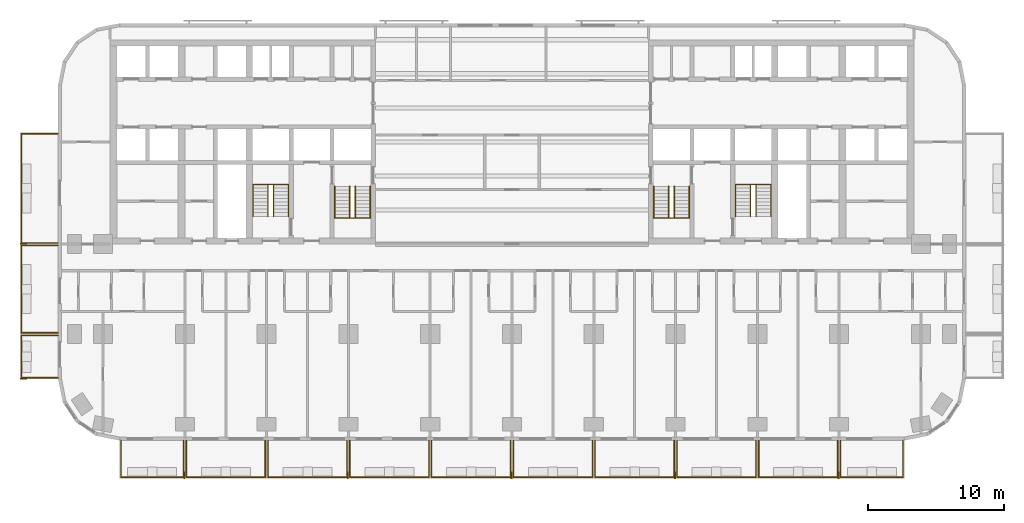
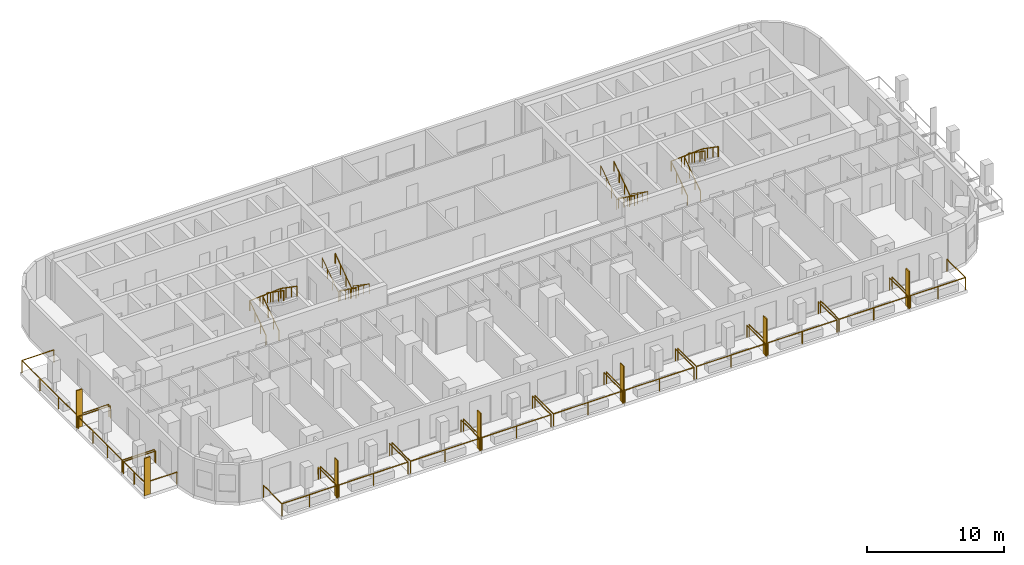
# One storey, part 13 of 15: 21 railings, 7 shading devices.
"""IFC4 building model written with IfcOpenShell, lengths in metres."""

from ifc_helpers import new_model, si_unit, direction, frame, origin, origin_2d, place, context, subcontext, project, spatial, rectangle, circle, extrude, material, layer, layer_set, type_object, element, save


model = new_model("IFC4")

# Units and contexts
model_context = context("Model", 3, precision=1e-05, world=origin(), true_north=direction((0.0, 1.0)))
body_context = subcontext(model_context, "Body", "Model", "MODEL_VIEW")
ifc_project = project(units=[si_unit("LENGTHUNIT", "METRE"), si_unit("AREAUNIT", "SQUARE_METRE"), si_unit("VOLUMEUNIT", "CUBIC_METRE"), si_unit("PLANEANGLEUNIT", "RADIAN"), si_unit("MASSUNIT", "GRAM", prefix="KILO")], contexts=[model_context])

# Site, building, storey
site_placement = place(None, origin())
site = spatial("IfcSite", under=ifc_project, at=site_placement, CompositionType="ELEMENT")
building_placement = place(site_placement, origin())
building = spatial("IfcBuilding", under=site, at=building_placement, Name="Torana Hotel and Residences", CompositionType="ELEMENT")
storey_placement = place(building_placement, frame((0.0, 0.0, 27.60009765625)))
storey = spatial("IfcBuildingStorey", under=building, at=storey_placement, Name="L05", CompositionType="ELEMENT", Elevation=27.60009765625)

# Shading devices
ifc_material_1 = material(Name="Black powder coated aluminium", Category="aluminium")
ifc_layer = layer(ifc_material_1, 0.080078125)
ifc_layer_set = layer_set([ifc_layer], Name="FN1 VERTICAL FIN 500x80")
shading_device_type = type_object("IfcShadingDeviceType", Name="FN1 VERTICAL FIN 500x80", PredefinedType="USERDEFINED", material=ifc_layer_set)
for number, where, z_axis, x_axis, name in (
    (1, (-24.0400390625, -31.949951171875, 0.0), (0.0, 0.0, 1.0), (-1.0, 0.0, 0.0), "Fin 01"),
    (2, (-12.0400390625, -31.949951171875, 0.0), (0.0, 0.0, 1.0), (-1.0, 0.0, 0.0), "Fin 03"),
    (3, (-0.0400390625, -31.949951171875, 0.0), (0.0, 0.0, 1.0), (-1.0, 0.0, 0.0), "Fin 05"),
    (4, (11.9599609375, -31.949951171875, 0.0), (0.0, 0.0, 1.0), (-1.0, 0.0, 0.0), "Fin 07"),
    (5, (23.9599609375, -31.949951171875, 0.0), (0.0, 0.0, 1.0), (-1.0, 0.0, 0.0), "Fin 09"),
    (6, (-35.85009765625, -24.860107421875, 0.0), (0.0, 0.0, 1.0), (0.0, 1.0, 0.0), "Fin 11"),
    (7, (-35.85009765625, -14.9599609375, 0.0), (0.0, 0.0, 1.0), (0.0, 1.0, 0.0), "Fin 13"),
):
    element("IfcShadingDevice", number, at=place(storey_placement, frame(where, z_axis=z_axis, x_axis=x_axis)), inside=storey, type_object=shading_device_type, Name=name, ObjectType="FIN", PredefinedType="USERDEFINED", context=body_context, shape_type="SweptSolid", body=[
        extrude(rectangle(XDim=0.080078125, YDim=0.5, at=origin_2d()), origin(), (0.0, 0.0, 1.0), 3.320068359375),
    ])

# Railings
ifc_material_2 = material(Name="Laminated glass balustrade with black handrail", Category="glass")
railing_type_1 = type_object("IfcRailingType", Name="GR1 BALCONY GUARD 1100 GLASS", PredefinedType="GUARDRAIL", material=ifc_material_2)
railing_1_placement = place(storey_placement, frame((-24.10009765625, -29.39990234375, 0.0)))
element("IfcRailing", 8, at=railing_1_placement, inside=storey, type_object=railing_type_1, Name="Balcony guard 01", PredefinedType="GUARDRAIL", context=body_context, shape_type="SweptSolid", body=[
    extrude(circle(Radius=0.02392578125, at=origin_2d()), frame((0.0, 0.0, 1.076171875), z_axis=(0.0, -1.0, 0.0), x_axis=(1.0, 0.0, 0.0)), (0.0, 0.0, 1.0), 2.7001953125),
    extrude(circle(Radius=0.02392578125, at=origin_2d()), frame((0.0, -2.7001953125, 1.076171875), z_axis=(-1.0, 0.0, 0.0), x_axis=(0.0, -1.0, 0.0)), (0.0, 0.0, 1.0), 4.599853515625),
    extrude(circle(Radius=0.02392578125, at=origin_2d()), frame((-4.599853515625, -2.7001953125, 1.076171875), z_axis=(0.0, 1.0, 0.0), x_axis=(-1.0, 0.0, 0.0)), (0.0, 0.0, 1.0), 2.7001953125),
    extrude(circle(Radius=0.02099609375, at=origin_2d()), origin(), (0.0, 0.0, 1.0), 1.052001953125),
    extrude(circle(Radius=0.02099609375, at=origin_2d()), frame((0.0, -2.7001953125, 0.0)), (0.0, 0.0, 1.0), 1.052001953125),
    extrude(circle(Radius=0.02099609375, at=origin_2d()), frame((-2.2998046875, -2.7001953125, 0.0)), (0.0, 0.0, 1.0), 1.052001953125),
    extrude(circle(Radius=0.02099609375, at=origin_2d()), frame((-4.599853515625, -2.7001953125, 0.0)), (0.0, 0.0, 1.0), 1.052001953125),
    extrude(circle(Radius=0.02099609375, at=origin_2d()), frame((-4.599853515625, 0.0, 0.0)), (0.0, 0.0, 1.0), 1.052001953125),
])
for number, where, name in (
    (9, (-18.10009765625, -29.39990234375, 0.0), "Balcony guard 02"),
    (10, (-12.10009765625, -29.39990234375, 0.0), "Balcony guard 03"),
    (11, (-6.10009765625, -29.39990234375, 0.0), "Balcony guard 04"),
    (12, (-0.10009765625, -29.39990234375, 0.0), "Balcony guard 05"),
    (13, (5.89990234375, -29.39990234375, 0.0), "Balcony guard 06"),
    (14, (11.89990234375, -29.39990234375, 0.0), "Balcony guard 07"),
    (15, (17.89990234375, -29.39990234375, 0.0), "Balcony guard 08"),
    (16, (23.89990234375, -29.39990234375, 0.0), "Balcony guard 09"),
):
    element("IfcRailing", number, at=place(storey_placement, frame(where)), inside=storey, type_object=railing_type_1, Name=name, PredefinedType="GUARDRAIL", context=body_context, shape_type="SweptSolid", body=[
        extrude(circle(Radius=0.02392578125, at=origin_2d()), frame((0.0, 0.0, 1.076171875), z_axis=(0.0, -1.0, 0.0), x_axis=(1.0, 0.0, 0.0)), (0.0, 0.0, 1.0), 2.7001953125),
        extrude(circle(Radius=0.02392578125, at=origin_2d()), frame((0.0, -2.7001953125, 1.076171875), z_axis=(-1.0, 0.0, 0.0), x_axis=(0.0, -1.0, 0.0)), (0.0, 0.0, 1.0), 5.7998046875),
        extrude(circle(Radius=0.02392578125, at=origin_2d()), frame((-5.7998046875, -2.7001953125, 1.076171875), z_axis=(0.0, 1.0, 0.0), x_axis=(-1.0, 0.0, 0.0)), (0.0, 0.0, 1.0), 2.7001953125),
        extrude(circle(Radius=0.02099609375, at=origin_2d()), origin(), (0.0, 0.0, 1.0), 1.052001953125),
        extrude(circle(Radius=0.02099609375, at=origin_2d()), frame((0.0, -2.7001953125, 0.0)), (0.0, 0.0, 1.0), 1.052001953125),
        extrude(circle(Radius=0.02099609375, at=origin_2d()), frame((-2.89990234375, -2.7001953125, 0.0)), (0.0, 0.0, 1.0), 1.052001953125),
        extrude(circle(Radius=0.02099609375, at=origin_2d()), frame((-5.7998046875, -2.7001953125, 0.0)), (0.0, 0.0, 1.0), 1.052001953125),
        extrude(circle(Radius=0.02099609375, at=origin_2d()), frame((-5.7998046875, 0.0, 0.0)), (0.0, 0.0, 1.0), 1.052001953125),
    ])
railing_2_placement = place(storey_placement, frame((28.699951171875, -29.39990234375, 0.0)))
element("IfcRailing", 17, at=railing_2_placement, inside=storey, type_object=railing_type_1, Name="Balcony guard 10", PredefinedType="GUARDRAIL", context=body_context, shape_type="SweptSolid", body=[
    extrude(circle(Radius=0.02392578125, at=origin_2d()), frame((0.0, 0.0, 1.076171875), z_axis=(0.0, -1.0, 0.0), x_axis=(1.0, 0.0, 0.0)), (0.0, 0.0, 1.0), 2.7001953125),
    extrude(circle(Radius=0.02392578125, at=origin_2d()), frame((0.0, -2.7001953125, 1.076171875), z_axis=(-1.0, 0.0, 0.0), x_axis=(0.0, -1.0, 0.0)), (0.0, 0.0, 1.0), 4.599853515625),
    extrude(circle(Radius=0.02392578125, at=origin_2d()), frame((-4.599853515625, -2.7001953125, 1.076171875), z_axis=(0.0, 1.0, 0.0), x_axis=(-1.0, 0.0, 0.0)), (0.0, 0.0, 1.0), 2.7001953125),
    extrude(circle(Radius=0.02099609375, at=origin_2d()), origin(), (0.0, 0.0, 1.0), 1.052001953125),
    extrude(circle(Radius=0.02099609375, at=origin_2d()), frame((0.0, -2.7001953125, 0.0)), (0.0, 0.0, 1.0), 1.052001953125),
    extrude(circle(Radius=0.02099609375, at=origin_2d()), frame((-2.2998046875, -2.7001953125, 0.0)), (0.0, 0.0, 1.0), 1.052001953125),
    extrude(circle(Radius=0.02099609375, at=origin_2d()), frame((-4.599853515625, -2.7001953125, 0.0)), (0.0, 0.0, 1.0), 1.052001953125),
    extrude(circle(Radius=0.02099609375, at=origin_2d()), frame((-4.599853515625, 0.0, 0.0)), (0.0, 0.0, 1.0), 1.052001953125),
])
railing_3_placement = place(storey_placement, frame((-33.300048828125, -24.800048828125, 0.0)))
element("IfcRailing", 18, at=railing_3_placement, inside=storey, type_object=railing_type_1, Name="Balcony guard 11", PredefinedType="GUARDRAIL", context=body_context, shape_type="SweptSolid", body=[
    extrude(circle(Radius=0.02392578125, at=origin_2d()), frame((0.0, 0.0, 1.076171875), z_axis=(-1.0, 0.0, 0.0), x_axis=(0.0, -1.0, 0.0)), (0.0, 0.0, 1.0), 2.699951171875),
    extrude(circle(Radius=0.02392578125, at=origin_2d()), frame((-2.699951171875, 0.0, 1.076171875), z_axis=(0.0, 1.0, 0.0), x_axis=(-1.0, 0.0, 0.0)), (0.0, 0.0, 1.0), 3.10009765625),
    extrude(circle(Radius=0.02392578125, at=origin_2d()), frame((-2.699951171875, 3.10009765625, 1.076171875), z_axis=(1.0, 0.0, 0.0), x_axis=(0.0, 1.0, 0.0)), (0.0, 0.0, 1.0), 2.699951171875),
    extrude(circle(Radius=0.02099609375, at=origin_2d()), origin(), (0.0, 0.0, 1.0), 1.052001953125),
    extrude(circle(Radius=0.02099609375, at=origin_2d()), frame((-2.699951171875, 0.0, 0.0)), (0.0, 0.0, 1.0), 1.052001953125),
    extrude(circle(Radius=0.02099609375, at=origin_2d()), frame((-2.699951171875, 1.550048828125, 0.0)), (0.0, 0.0, 1.0), 1.052001953125),
    extrude(circle(Radius=0.02099609375, at=origin_2d()), frame((-2.699951171875, 3.10009765625, 0.0)), (0.0, 0.0, 1.0), 1.052001953125),
    extrude(circle(Radius=0.02099609375, at=origin_2d()), frame((0.0, 3.10009765625, 0.0)), (0.0, 0.0, 1.0), 1.052001953125),
])
railing_4_placement = place(storey_placement, frame((-33.300048828125, -21.5, 0.0)))
element("IfcRailing", 19, at=railing_4_placement, inside=storey, type_object=railing_type_1, Name="Balcony guard 12", PredefinedType="GUARDRAIL", context=body_context, shape_type="SweptSolid", body=[
    extrude(circle(Radius=0.02392578125, at=origin_2d()), frame((0.0, 0.0, 1.076171875), z_axis=(-1.0, 0.0, 0.0), x_axis=(0.0, -1.0, 0.0)), (0.0, 0.0, 1.0), 2.699951171875),
    extrude(circle(Radius=0.02392578125, at=origin_2d()), frame((-2.699951171875, 0.0, 1.076171875), z_axis=(0.0, 1.0, 0.0), x_axis=(-1.0, 0.0, 0.0)), (0.0, 0.0, 1.0), 6.39990234375),
    extrude(circle(Radius=0.02392578125, at=origin_2d()), frame((-2.699951171875, 6.39990234375, 1.076171875), z_axis=(1.0, 0.0, 0.0), x_axis=(0.0, 1.0, 0.0)), (0.0, 0.0, 1.0), 2.699951171875),
    extrude(circle(Radius=0.02099609375, at=origin_2d()), origin(), (0.0, 0.0, 1.0), 1.052001953125),
    extrude(circle(Radius=0.02099609375, at=origin_2d()), frame((-2.699951171875, 0.0, 0.0)), (0.0, 0.0, 1.0), 1.052001953125),
    extrude(circle(Radius=0.02099609375, at=origin_2d()), frame((-2.699951171875, 2.13330078125, 0.0)), (0.0, 0.0, 1.0), 1.052001953125),
    extrude(circle(Radius=0.02099609375, at=origin_2d()), frame((-2.699951171875, 4.2666015625, 0.0)), (0.0, 0.0, 1.0), 1.052001953125),
    extrude(circle(Radius=0.02099609375, at=origin_2d()), frame((-2.699951171875, 6.39990234375, 0.0)), (0.0, 0.0, 1.0), 1.052001953125),
    extrude(circle(Radius=0.02099609375, at=origin_2d()), frame((0.0, 6.39990234375, 0.0)), (0.0, 0.0, 1.0), 1.052001953125),
])
railing_5_placement = place(storey_placement, frame((-33.300048828125, -14.89990234375, 0.0)))
element("IfcRailing", 20, at=railing_5_placement, inside=storey, type_object=railing_type_1, Name="Balcony guard 13", PredefinedType="GUARDRAIL", context=body_context, shape_type="SweptSolid", body=[
    extrude(circle(Radius=0.02392578125, at=origin_2d()), frame((0.0, 0.0, 1.076171875), z_axis=(-1.0, 0.0, 0.0), x_axis=(0.0, -1.0, 0.0)), (0.0, 0.0, 1.0), 2.699951171875),
    extrude(circle(Radius=0.02392578125, at=origin_2d()), frame((-2.699951171875, 0.0, 1.076171875), z_axis=(0.0, 1.0, 0.0), x_axis=(-1.0, 0.0, 0.0)), (0.0, 0.0, 1.0), 8.0),
    extrude(circle(Radius=0.02392578125, at=origin_2d()), frame((-2.699951171875, 8.0, 1.076171875), z_axis=(1.0, 0.0, 0.0), x_axis=(0.0, 1.0, 0.0)), (0.0, 0.0, 1.0), 2.699951171875),
    extrude(circle(Radius=0.02099609375, at=origin_2d()), origin(), (0.0, 0.0, 1.0), 1.052001953125),
    extrude(circle(Radius=0.02099609375, at=origin_2d()), frame((-2.699951171875, 0.0, 0.0)), (0.0, 0.0, 1.0), 1.052001953125),
    extrude(circle(Radius=0.02099609375, at=origin_2d()), frame((-2.699951171875, 2.666748046875, 0.0)), (0.0, 0.0, 1.0), 1.052001953125),
    extrude(circle(Radius=0.02099609375, at=origin_2d()), frame((-2.699951171875, 5.333251953125, 0.0)), (0.0, 0.0, 1.0), 1.052001953125),
    extrude(circle(Radius=0.02099609375, at=origin_2d()), frame((-2.699951171875, 8.0, 0.0)), (0.0, 0.0, 1.0), 1.052001953125),
    extrude(circle(Radius=0.02099609375, at=origin_2d()), frame((0.0, 8.0, 0.0)), (0.0, 0.0, 1.0), 1.052001953125),
])
ifc_material_3 = material(Name="Stainless steel 316", Category="steel")
railing_type_2 = type_object("IfcRailingType", Name="STAIR HANDRAIL HR1 900", PredefinedType="HANDRAIL", material=ifc_material_3)
railing_6_placement = place(storey_placement, frame((-10.39990234375, -10.75, 0.179931640625)))
element("IfcRailing", 21, at=railing_6_placement, inside=storey, type_object=railing_type_2, Name="Handrail ST1 L05 O1", PredefinedType="HANDRAIL", context=body_context, shape_type="SweptSolid", body=[
    extrude(circle(Radius=0.02392578125, at=origin_2d()), frame((0.0, 0.0, 0.8759765625), z_axis=(0.0, -0.822223072051, 0.569165371211), x_axis=(1.0, 0.0, 0.0)), (0.0, 0.0, 1.0), 2.845947265625),
    extrude(circle(Radius=0.02392578125, at=origin_2d()), frame((0.0, -2.340087890625, 2.49560546875), z_axis=(-0.997607660209, 0.0, 0.069129995609), x_axis=(0.0, -1.0, 0.0)), (0.0, 0.0, 1.0), 2.6064453125),
    extrude(circle(Radius=0.02392578125, at=origin_2d()), frame((-2.60009765625, -2.340087890625, 2.67578125), z_axis=(0.0, 0.822223072051, 0.569165371211), x_axis=(-1.0, 0.0, 0.0)), (0.0, 0.0, 1.0), 2.845947265625),
    extrude(circle(Radius=0.02099609375, at=origin_2d()), origin(), (0.0, 0.0, 1.0), 0.851806640625),
    extrude(circle(Radius=0.02099609375, at=origin_2d()), frame((0.0, -0.780029296875, 0.5400390625)), (0.0, 0.0, 1.0), 0.851806640625),
    extrude(circle(Radius=0.02099609375, at=origin_2d()), frame((0.0, -1.56005859375, 1.079833984375)), (0.0, 0.0, 1.0), 0.851806640625),
    extrude(circle(Radius=0.02099609375, at=origin_2d()), frame((0.0, -2.340087890625, 1.619873046875)), (0.0, 0.0, 1.0), 0.851806640625),
    extrude(circle(Radius=0.02099609375, at=origin_2d()), frame((-0.86669921875, -2.340087890625, 1.679931640625)), (0.0, 0.0, 1.0), 0.851806640625),
    extrude(circle(Radius=0.02099609375, at=origin_2d()), frame((-1.7333984375, -2.340087890625, 1.739990234375)), (0.0, 0.0, 1.0), 0.851806640625),
    extrude(circle(Radius=0.02099609375, at=origin_2d()), frame((-2.60009765625, -2.340087890625, 1.800048828125)), (0.0, 0.0, 1.0), 0.851806640625),
    extrude(circle(Radius=0.02099609375, at=origin_2d()), frame((-2.60009765625, -1.56005859375, 2.340087890625)), (0.0, 0.0, 1.0), 0.851806640625),
    extrude(circle(Radius=0.02099609375, at=origin_2d()), frame((-2.60009765625, -0.780029296875, 2.8798828125)), (0.0, 0.0, 1.0), 0.851806640625),
    extrude(circle(Radius=0.02099609375, at=origin_2d()), frame((-2.60009765625, 0.0, 3.419921875)), (0.0, 0.0, 1.0), 0.851806640625),
])
railing_7_placement = place(storey_placement, frame((-11.5, -10.75, 0.179931640625)))
element("IfcRailing", 22, at=railing_7_placement, inside=storey, type_object=railing_type_2, Name="Handrail ST1 L05 I1", PredefinedType="HANDRAIL", context=body_context, shape_type="SweptSolid", body=[
    extrude(circle(Radius=0.02392578125, at=origin_2d()), frame((0.0, 0.0, 0.8759765625), z_axis=(0.0, -0.822223072051, 0.569165371211), x_axis=(1.0, 0.0, 0.0)), (0.0, 0.0, 1.0), 2.845947265625),
    extrude(circle(Radius=0.02392578125, at=origin_2d()), frame((0.0, -2.340087890625, 2.49560546875), z_axis=(-0.911733943306, 0.0, 0.410781227204), x_axis=(0.0, -1.0, 0.0)), (0.0, 0.0, 1.0), 0.438720703125),
    extrude(circle(Radius=0.02392578125, at=origin_2d()), frame((-0.39990234375, -2.340087890625, 2.67578125), z_axis=(0.0, 0.822223072051, 0.569165371211), x_axis=(-1.0, 0.0, 0.0)), (0.0, 0.0, 1.0), 2.845947265625),
    extrude(circle(Radius=0.02099609375, at=origin_2d()), origin(), (0.0, 0.0, 1.0), 0.851806640625),
    extrude(circle(Radius=0.02099609375, at=origin_2d()), frame((0.0, -0.780029296875, 0.5400390625)), (0.0, 0.0, 1.0), 0.851806640625),
    extrude(circle(Radius=0.02099609375, at=origin_2d()), frame((0.0, -1.56005859375, 1.079833984375)), (0.0, 0.0, 1.0), 0.851806640625),
    extrude(circle(Radius=0.02099609375, at=origin_2d()), frame((0.0, -2.340087890625, 1.619873046875)), (0.0, 0.0, 1.0), 0.851806640625),
    extrude(circle(Radius=0.02099609375, at=origin_2d()), frame((-0.39990234375, -2.340087890625, 1.800048828125)), (0.0, 0.0, 1.0), 0.851806640625),
    extrude(circle(Radius=0.02099609375, at=origin_2d()), frame((-0.39990234375, -1.56005859375, 2.340087890625)), (0.0, 0.0, 1.0), 0.851806640625),
    extrude(circle(Radius=0.02099609375, at=origin_2d()), frame((-0.39990234375, -0.780029296875, 2.8798828125)), (0.0, 0.0, 1.0), 0.851806640625),
    extrude(circle(Radius=0.02099609375, at=origin_2d()), frame((-0.39990234375, 0.0, 3.419921875)), (0.0, 0.0, 1.0), 0.851806640625),
])
railing_8_placement = place(storey_placement, frame((-19.0, -12.949951171875, 0.179931640625)))
element("IfcRailing", 23, at=railing_8_placement, inside=storey, type_object=railing_type_2, Name="Handrail ST2 L05 O1", PredefinedType="HANDRAIL", context=body_context, shape_type="SweptSolid", body=[
    extrude(circle(Radius=0.02392578125, at=origin_2d()), frame((0.0, 0.0, 0.8759765625), z_axis=(0.0, 0.822195280011, 0.569205517829), x_axis=(-1.0, 0.0, 0.0)), (0.0, 0.0, 1.0), 2.845947265625),
    extrude(circle(Radius=0.02392578125, at=origin_2d()), frame((0.0, 2.33984375, 2.49560546875), z_axis=(0.997607660209, 0.0, 0.069129995609), x_axis=(0.0, 1.0, 0.0)), (0.0, 0.0, 1.0), 2.6064453125),
    extrude(circle(Radius=0.02392578125, at=origin_2d()), frame((2.60009765625, 2.33984375, 2.67578125), z_axis=(0.0, -0.822195280011, 0.569205517829), x_axis=(1.0, 0.0, 0.0)), (0.0, 0.0, 1.0), 2.845947265625),
    extrude(circle(Radius=0.02099609375, at=origin_2d()), origin(), (0.0, 0.0, 1.0), 0.851806640625),
    extrude(circle(Radius=0.02099609375, at=origin_2d()), frame((0.0, 0.780029296875, 0.5400390625)), (0.0, 0.0, 1.0), 0.851806640625),
    extrude(circle(Radius=0.02099609375, at=origin_2d()), frame((0.0, 1.559814453125, 1.079833984375)), (0.0, 0.0, 1.0), 0.851806640625),
    extrude(circle(Radius=0.02099609375, at=origin_2d()), frame((0.0, 2.33984375, 1.619873046875)), (0.0, 0.0, 1.0), 0.851806640625),
    extrude(circle(Radius=0.02099609375, at=origin_2d()), frame((0.86669921875, 2.33984375, 1.679931640625)), (0.0, 0.0, 1.0), 0.851806640625),
    extrude(circle(Radius=0.02099609375, at=origin_2d()), frame((1.7333984375, 2.33984375, 1.739990234375)), (0.0, 0.0, 1.0), 0.851806640625),
    extrude(circle(Radius=0.02099609375, at=origin_2d()), frame((2.60009765625, 2.33984375, 1.800048828125)), (0.0, 0.0, 1.0), 0.851806640625),
    extrude(circle(Radius=0.02099609375, at=origin_2d()), frame((2.60009765625, 1.559814453125, 2.340087890625)), (0.0, 0.0, 1.0), 0.851806640625),
    extrude(circle(Radius=0.02099609375, at=origin_2d()), frame((2.60009765625, 0.780029296875, 2.8798828125)), (0.0, 0.0, 1.0), 0.851806640625),
    extrude(circle(Radius=0.02099609375, at=origin_2d()), frame((2.60009765625, 0.0, 3.419921875)), (0.0, 0.0, 1.0), 0.851806640625),
])
railing_9_placement = place(storey_placement, frame((-17.89990234375, -12.949951171875, 0.179931640625)))
element("IfcRailing", 24, at=railing_9_placement, inside=storey, type_object=railing_type_2, Name="Handrail ST2 L05 I1", PredefinedType="HANDRAIL", context=body_context, shape_type="SweptSolid", body=[
    extrude(circle(Radius=0.02392578125, at=origin_2d()), frame((0.0, 0.0, 0.8759765625), z_axis=(0.0, 0.822195280011, 0.569205517829), x_axis=(-1.0, 0.0, 0.0)), (0.0, 0.0, 1.0), 2.845947265625),
    extrude(circle(Radius=0.02392578125, at=origin_2d()), frame((0.0, 2.33984375, 2.49560546875), z_axis=(0.911733943306, 0.0, 0.410781227204), x_axis=(0.0, 1.0, 0.0)), (0.0, 0.0, 1.0), 0.438720703125),
    extrude(circle(Radius=0.02392578125, at=origin_2d()), frame((0.39990234375, 2.33984375, 2.67578125), z_axis=(0.0, -0.822195280011, 0.569205517829), x_axis=(1.0, 0.0, 0.0)), (0.0, 0.0, 1.0), 2.845947265625),
    extrude(circle(Radius=0.02099609375, at=origin_2d()), origin(), (0.0, 0.0, 1.0), 0.851806640625),
    extrude(circle(Radius=0.02099609375, at=origin_2d()), frame((0.0, 0.780029296875, 0.5400390625)), (0.0, 0.0, 1.0), 0.851806640625),
    extrude(circle(Radius=0.02099609375, at=origin_2d()), frame((0.0, 1.559814453125, 1.079833984375)), (0.0, 0.0, 1.0), 0.851806640625),
    extrude(circle(Radius=0.02099609375, at=origin_2d()), frame((0.0, 2.33984375, 1.619873046875)), (0.0, 0.0, 1.0), 0.851806640625),
    extrude(circle(Radius=0.02099609375, at=origin_2d()), frame((0.39990234375, 2.33984375, 1.800048828125)), (0.0, 0.0, 1.0), 0.851806640625),
    extrude(circle(Radius=0.02099609375, at=origin_2d()), frame((0.39990234375, 1.559814453125, 2.340087890625)), (0.0, 0.0, 1.0), 0.851806640625),
    extrude(circle(Radius=0.02099609375, at=origin_2d()), frame((0.39990234375, 0.780029296875, 2.8798828125)), (0.0, 0.0, 1.0), 0.851806640625),
    extrude(circle(Radius=0.02099609375, at=origin_2d()), frame((0.39990234375, 0.0, 3.419921875)), (0.0, 0.0, 1.0), 0.851806640625),
])
railing_10_placement = place(storey_placement, frame((13.0, -10.75, 0.179931640625)))
element("IfcRailing", 25, at=railing_10_placement, inside=storey, type_object=railing_type_2, Name="Handrail ST3 L05 O1", PredefinedType="HANDRAIL", context=body_context, shape_type="SweptSolid", body=[
    extrude(circle(Radius=0.02392578125, at=origin_2d()), frame((0.0, 0.0, 0.8759765625), z_axis=(0.0, -0.822223072051, 0.569165371211), x_axis=(1.0, 0.0, 0.0)), (0.0, 0.0, 1.0), 2.845947265625),
    extrude(circle(Radius=0.02392578125, at=origin_2d()), frame((0.0, -2.340087890625, 2.49560546875), z_axis=(-0.997607660209, 0.0, 0.069129995609), x_axis=(0.0, -1.0, 0.0)), (0.0, 0.0, 1.0), 2.6064453125),
    extrude(circle(Radius=0.02392578125, at=origin_2d()), frame((-2.60009765625, -2.340087890625, 2.67578125), z_axis=(0.0, 0.822223072051, 0.569165371211), x_axis=(-1.0, 0.0, 0.0)), (0.0, 0.0, 1.0), 2.845947265625),
    extrude(circle(Radius=0.02099609375, at=origin_2d()), origin(), (0.0, 0.0, 1.0), 0.851806640625),
    extrude(circle(Radius=0.02099609375, at=origin_2d()), frame((0.0, -0.780029296875, 0.5400390625)), (0.0, 0.0, 1.0), 0.851806640625),
    extrude(circle(Radius=0.02099609375, at=origin_2d()), frame((0.0, -1.56005859375, 1.079833984375)), (0.0, 0.0, 1.0), 0.851806640625),
    extrude(circle(Radius=0.02099609375, at=origin_2d()), frame((0.0, -2.340087890625, 1.619873046875)), (0.0, 0.0, 1.0), 0.851806640625),
    extrude(circle(Radius=0.02099609375, at=origin_2d()), frame((-0.86669921875, -2.340087890625, 1.679931640625)), (0.0, 0.0, 1.0), 0.851806640625),
    extrude(circle(Radius=0.02099609375, at=origin_2d()), frame((-1.7333984375, -2.340087890625, 1.739990234375)), (0.0, 0.0, 1.0), 0.851806640625),
    extrude(circle(Radius=0.02099609375, at=origin_2d()), frame((-2.60009765625, -2.340087890625, 1.800048828125)), (0.0, 0.0, 1.0), 0.851806640625),
    extrude(circle(Radius=0.02099609375, at=origin_2d()), frame((-2.60009765625, -1.56005859375, 2.340087890625)), (0.0, 0.0, 1.0), 0.851806640625),
    extrude(circle(Radius=0.02099609375, at=origin_2d()), frame((-2.60009765625, -0.780029296875, 2.8798828125)), (0.0, 0.0, 1.0), 0.851806640625),
    extrude(circle(Radius=0.02099609375, at=origin_2d()), frame((-2.60009765625, 0.0, 3.419921875)), (0.0, 0.0, 1.0), 0.851806640625),
])
railing_11_placement = place(storey_placement, frame((11.89990234375, -10.75, 0.179931640625)))
element("IfcRailing", 26, at=railing_11_placement, inside=storey, type_object=railing_type_2, Name="Handrail ST3 L05 I1", PredefinedType="HANDRAIL", context=body_context, shape_type="SweptSolid", body=[
    extrude(circle(Radius=0.02392578125, at=origin_2d()), frame((0.0, 0.0, 0.8759765625), z_axis=(0.0, -0.822223072051, 0.569165371211), x_axis=(1.0, 0.0, 0.0)), (0.0, 0.0, 1.0), 2.845947265625),
    extrude(circle(Radius=0.02392578125, at=origin_2d()), frame((0.0, -2.340087890625, 2.49560546875), z_axis=(-0.911733943306, 0.0, 0.410781227204), x_axis=(0.0, -1.0, 0.0)), (0.0, 0.0, 1.0), 0.438720703125),
    extrude(circle(Radius=0.02392578125, at=origin_2d()), frame((-0.39990234375, -2.340087890625, 2.67578125), z_axis=(0.0, 0.822223072051, 0.569165371211), x_axis=(-1.0, 0.0, 0.0)), (0.0, 0.0, 1.0), 2.845947265625),
    extrude(circle(Radius=0.02099609375, at=origin_2d()), origin(), (0.0, 0.0, 1.0), 0.851806640625),
    extrude(circle(Radius=0.02099609375, at=origin_2d()), frame((0.0, -0.780029296875, 0.5400390625)), (0.0, 0.0, 1.0), 0.851806640625),
    extrude(circle(Radius=0.02099609375, at=origin_2d()), frame((0.0, -1.56005859375, 1.079833984375)), (0.0, 0.0, 1.0), 0.851806640625),
    extrude(circle(Radius=0.02099609375, at=origin_2d()), frame((0.0, -2.340087890625, 1.619873046875)), (0.0, 0.0, 1.0), 0.851806640625),
    extrude(circle(Radius=0.02099609375, at=origin_2d()), frame((-0.39990234375, -2.340087890625, 1.800048828125)), (0.0, 0.0, 1.0), 0.851806640625),
    extrude(circle(Radius=0.02099609375, at=origin_2d()), frame((-0.39990234375, -1.56005859375, 2.340087890625)), (0.0, 0.0, 1.0), 0.851806640625),
    extrude(circle(Radius=0.02099609375, at=origin_2d()), frame((-0.39990234375, -0.780029296875, 2.8798828125)), (0.0, 0.0, 1.0), 0.851806640625),
    extrude(circle(Radius=0.02099609375, at=origin_2d()), frame((-0.39990234375, 0.0, 3.419921875)), (0.0, 0.0, 1.0), 0.851806640625),
])
railing_12_placement = place(storey_placement, frame((16.39990234375, -12.949951171875, 0.179931640625)))
element("IfcRailing", 27, at=railing_12_placement, inside=storey, type_object=railing_type_2, Name="Handrail ST4 L05 O1", PredefinedType="HANDRAIL", context=body_context, shape_type="SweptSolid", body=[
    extrude(circle(Radius=0.02392578125, at=origin_2d()), frame((0.0, 0.0, 0.8759765625), z_axis=(0.0, 0.822195280011, 0.569205517829), x_axis=(-1.0, 0.0, 0.0)), (0.0, 0.0, 1.0), 2.845947265625),
    extrude(circle(Radius=0.02392578125, at=origin_2d()), frame((0.0, 2.33984375, 2.49560546875), z_axis=(0.997607660209, 0.0, 0.069129995609), x_axis=(0.0, 1.0, 0.0)), (0.0, 0.0, 1.0), 2.6064453125),
    extrude(circle(Radius=0.02392578125, at=origin_2d()), frame((2.60009765625, 2.33984375, 2.67578125), z_axis=(0.0, -0.822195280011, 0.569205517829), x_axis=(1.0, 0.0, 0.0)), (0.0, 0.0, 1.0), 2.845947265625),
    extrude(circle(Radius=0.02099609375, at=origin_2d()), origin(), (0.0, 0.0, 1.0), 0.851806640625),
    extrude(circle(Radius=0.02099609375, at=origin_2d()), frame((0.0, 0.780029296875, 0.5400390625)), (0.0, 0.0, 1.0), 0.851806640625),
    extrude(circle(Radius=0.02099609375, at=origin_2d()), frame((0.0, 1.559814453125, 1.079833984375)), (0.0, 0.0, 1.0), 0.851806640625),
    extrude(circle(Radius=0.02099609375, at=origin_2d()), frame((0.0, 2.33984375, 1.619873046875)), (0.0, 0.0, 1.0), 0.851806640625),
    extrude(circle(Radius=0.02099609375, at=origin_2d()), frame((0.86669921875, 2.33984375, 1.679931640625)), (0.0, 0.0, 1.0), 0.851806640625),
    extrude(circle(Radius=0.02099609375, at=origin_2d()), frame((1.7333984375, 2.33984375, 1.739990234375)), (0.0, 0.0, 1.0), 0.851806640625),
    extrude(circle(Radius=0.02099609375, at=origin_2d()), frame((2.60009765625, 2.33984375, 1.800048828125)), (0.0, 0.0, 1.0), 0.851806640625),
    extrude(circle(Radius=0.02099609375, at=origin_2d()), frame((2.60009765625, 1.559814453125, 2.340087890625)), (0.0, 0.0, 1.0), 0.851806640625),
    extrude(circle(Radius=0.02099609375, at=origin_2d()), frame((2.60009765625, 0.780029296875, 2.8798828125)), (0.0, 0.0, 1.0), 0.851806640625),
    extrude(circle(Radius=0.02099609375, at=origin_2d()), frame((2.60009765625, 0.0, 3.419921875)), (0.0, 0.0, 1.0), 0.851806640625),
])
railing_13_placement = place(storey_placement, frame((17.5, -12.949951171875, 0.179931640625)))
element("IfcRailing", 28, at=railing_13_placement, inside=storey, type_object=railing_type_2, Name="Handrail ST4 L05 I1", PredefinedType="HANDRAIL", context=body_context, shape_type="SweptSolid", body=[
    extrude(circle(Radius=0.02392578125, at=origin_2d()), frame((0.0, 0.0, 0.8759765625), z_axis=(0.0, 0.822195280011, 0.569205517829), x_axis=(-1.0, 0.0, 0.0)), (0.0, 0.0, 1.0), 2.845947265625),
    extrude(circle(Radius=0.02392578125, at=origin_2d()), frame((0.0, 2.33984375, 2.49560546875), z_axis=(0.911733943306, 0.0, 0.410781227204), x_axis=(0.0, 1.0, 0.0)), (0.0, 0.0, 1.0), 0.438720703125),
    extrude(circle(Radius=0.02392578125, at=origin_2d()), frame((0.39990234375, 2.33984375, 2.67578125), z_axis=(0.0, -0.822195280011, 0.569205517829), x_axis=(1.0, 0.0, 0.0)), (0.0, 0.0, 1.0), 2.845947265625),
    extrude(circle(Radius=0.02099609375, at=origin_2d()), origin(), (0.0, 0.0, 1.0), 0.851806640625),
    extrude(circle(Radius=0.02099609375, at=origin_2d()), frame((0.0, 0.780029296875, 0.5400390625)), (0.0, 0.0, 1.0), 0.851806640625),
    extrude(circle(Radius=0.02099609375, at=origin_2d()), frame((0.0, 1.559814453125, 1.079833984375)), (0.0, 0.0, 1.0), 0.851806640625),
    extrude(circle(Radius=0.02099609375, at=origin_2d()), frame((0.0, 2.33984375, 1.619873046875)), (0.0, 0.0, 1.0), 0.851806640625),
    extrude(circle(Radius=0.02099609375, at=origin_2d()), frame((0.39990234375, 2.33984375, 1.800048828125)), (0.0, 0.0, 1.0), 0.851806640625),
    extrude(circle(Radius=0.02099609375, at=origin_2d()), frame((0.39990234375, 1.559814453125, 2.340087890625)), (0.0, 0.0, 1.0), 0.851806640625),
    extrude(circle(Radius=0.02099609375, at=origin_2d()), frame((0.39990234375, 0.780029296875, 2.8798828125)), (0.0, 0.0, 1.0), 0.851806640625),
    extrude(circle(Radius=0.02099609375, at=origin_2d()), frame((0.39990234375, 0.0, 3.419921875)), (0.0, 0.0, 1.0), 0.851806640625),
])

save(model, "model.ifc")
